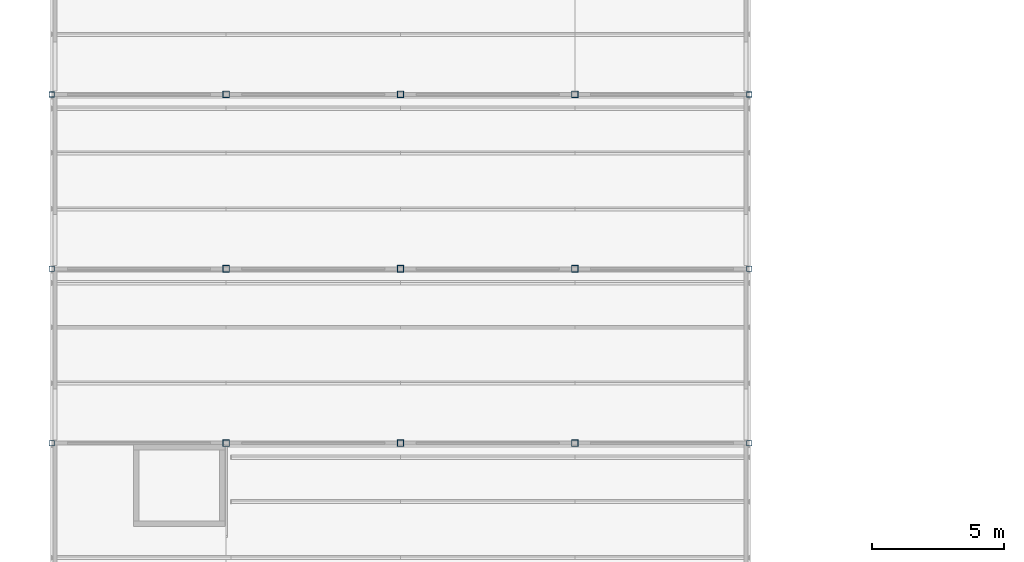
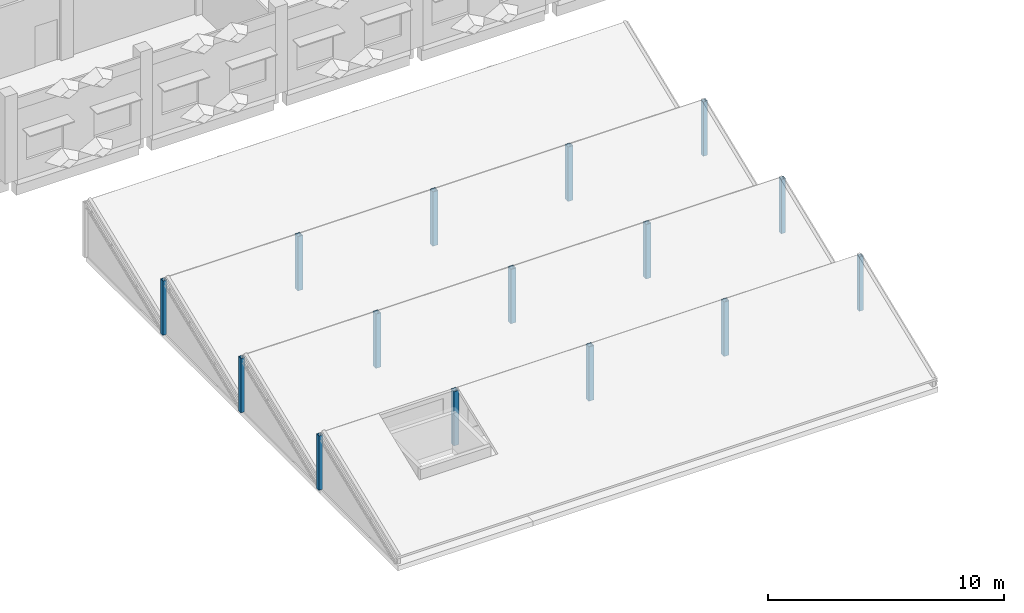
# One storey, part 2 of 109: 15 columns.
"""IFC4 building model written with IfcOpenShell, lengths in metres."""

from ifc_helpers import new_model, si_unit, direction, frame, origin, origin_2d, place, context, subcontext, project, spatial, hollow_rectangle, extrude, material, material_profile, profile_set, type_object, element, save


model = new_model("IFC4")

# Units and contexts
model_context = context("Model", 3, precision=1e-05, world=origin(), true_north=direction((0.0, 1.0)))
body_context = subcontext(model_context, "Body", "Model", "MODEL_VIEW")
ifc_project = project(units=[si_unit("LENGTHUNIT", "METRE"), si_unit("AREAUNIT", "SQUARE_METRE"), si_unit("VOLUMEUNIT", "CUBIC_METRE"), si_unit("PLANEANGLEUNIT", "RADIAN"), si_unit("MASSUNIT", "GRAM", prefix="KILO")], contexts=[model_context])

# Site, building, storey
site_placement = place(None, origin())
site = spatial("IfcSite", under=ifc_project, at=site_placement, CompositionType="ELEMENT")
building_placement = place(site_placement, origin())
building = spatial("IfcBuilding", under=site, at=building_placement, Name="Lantern Court Research Institute", CompositionType="ELEMENT")
storey_placement = place(building_placement, frame((0.0, 0.0, 14.39990234375)))
storey = spatial("IfcBuildingStorey", under=building, at=storey_placement, Name="L03", CompositionType="ELEMENT", Elevation=14.39990234375)

# Columns
ifc_material_1 = material(Name="Structural steel S355", Category="steel")
ifc_material_profile_1 = material_profile(ifc_material_1, hollow_rectangle(XDim=0.199951171875, YDim=0.199951171875, WallThickness=0.010009765625, at=origin_2d()), Name="Sawtooth edge post RHS 200 x 200 x 10")
ifc_profile_set_1 = profile_set([ifc_material_profile_1], Name="Structural steel S355")
column_type_1 = type_object("IfcColumnType", Name="Sawtooth edge post RHS 200 x 200 x 10", PredefinedType="COLUMN", material=ifc_profile_set_1)
for number, where, z_axis, x_axis, name in (
    (1, (0.0, 56.10009765625, 0.0), (0.0, 0.0, 1.0), (1.0, 0.0, 0.0), "Sawtooth post"),
    (2, (26.39990234375, 56.10009765625, 0.0), (0.0, 0.0, 1.0), (1.0, 0.0, 0.0), "Sawtooth post"),
    (3, (0.0, 62.699951171875, 0.0), (0.0, 0.0, 1.0), (1.0, 0.0, 0.0), "Sawtooth post"),
    (4, (26.39990234375, 62.699951171875, 0.0), (0.0, 0.0, 1.0), (1.0, 0.0, 0.0), "Sawtooth post"),
    (5, (0.0, 69.300048828125, 0.0), (0.0, 0.0, 1.0), (1.0, 0.0, 0.0), "Sawtooth post"),
    (6, (26.39990234375, 69.300048828125, 0.0), (0.0, 0.0, 1.0), (1.0, 0.0, 0.0), "Sawtooth post"),
):
    element("IfcColumn", number, at=place(storey_placement, frame(where, z_axis=z_axis, x_axis=x_axis)), inside=storey, type_object=column_type_1, Name=name, PredefinedType="COLUMN", context=body_context, shape_type="SweptSolid", body=[
        extrude(hollow_rectangle(XDim=0.199951171875, YDim=0.199951171875, WallThickness=0.010009765625, at=origin_2d()), origin(), (0.0, 0.0, 1.0), 2.810791015625),
    ])
ifc_material_2 = material(Name="Structural steel S355", Category="steel")
ifc_material_profile_2 = material_profile(ifc_material_2, hollow_rectangle(XDim=0.25, YDim=0.25, WallThickness=0.012451171875, at=origin_2d()), Name="Sawtooth post RHS 250 x 250 x 12.5")
ifc_profile_set_2 = profile_set([ifc_material_profile_2], Name="Structural steel S355")
column_type_2 = type_object("IfcColumnType", Name="Sawtooth post RHS 250 x 250 x 12.5", PredefinedType="COLUMN", material=ifc_profile_set_2)
for number, where, z_axis, x_axis, name in (
    (7, (6.60009765625, 56.10009765625, 0.0), (0.0, 0.0, 1.0), (1.0, 0.0, 0.0), "Sawtooth post"),
    (8, (13.199951171875, 56.10009765625, 0.0), (0.0, 0.0, 1.0), (1.0, 0.0, 0.0), "Sawtooth post"),
    (9, (19.800048828125, 56.10009765625, 0.0), (0.0, 0.0, 1.0), (1.0, 0.0, 0.0), "Sawtooth post"),
    (10, (6.60009765625, 62.699951171875, 0.0), (0.0, 0.0, 1.0), (1.0, 0.0, 0.0), "Sawtooth post"),
    (11, (13.199951171875, 62.699951171875, 0.0), (0.0, 0.0, 1.0), (1.0, 0.0, 0.0), "Sawtooth post"),
    (12, (19.800048828125, 62.699951171875, 0.0), (0.0, 0.0, 1.0), (1.0, 0.0, 0.0), "Sawtooth post"),
    (13, (6.60009765625, 69.300048828125, 0.0), (0.0, 0.0, 1.0), (1.0, 0.0, 0.0), "Sawtooth post"),
    (14, (13.199951171875, 69.300048828125, 0.0), (0.0, 0.0, 1.0), (1.0, 0.0, 0.0), "Sawtooth post"),
    (15, (19.800048828125, 69.300048828125, 0.0), (0.0, 0.0, 1.0), (1.0, 0.0, 0.0), "Sawtooth post"),
):
    element("IfcColumn", number, at=place(storey_placement, frame(where, z_axis=z_axis, x_axis=x_axis)), inside=storey, type_object=column_type_2, Name=name, PredefinedType="COLUMN", context=body_context, shape_type="SweptSolid", body=[
        extrude(hollow_rectangle(XDim=0.25, YDim=0.25, WallThickness=0.012451171875, at=origin_2d()), origin(), (0.0, 0.0, 1.0), 2.810791015625),
    ])

save(model, "model.ifc")
